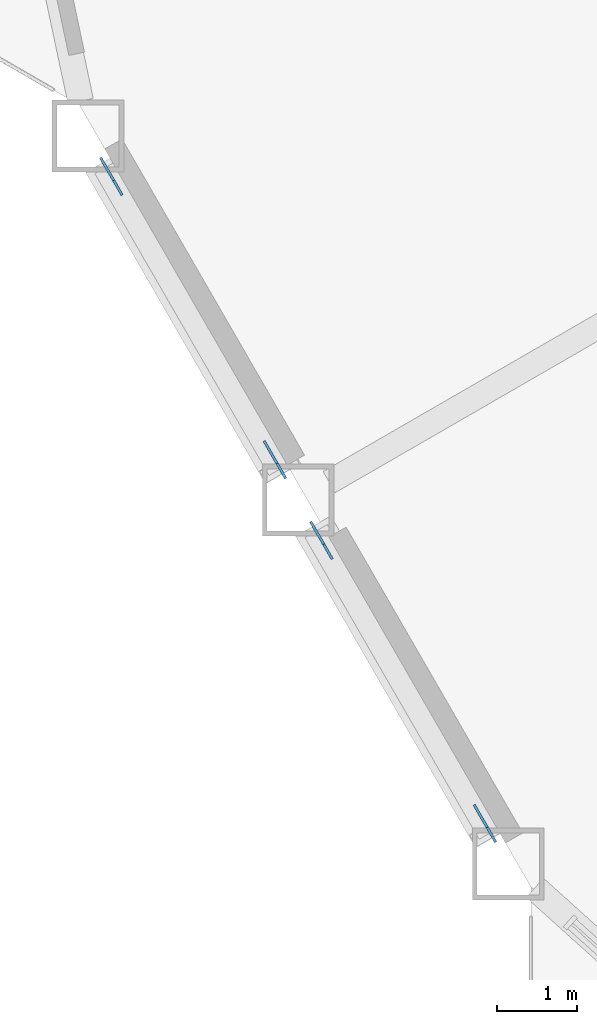
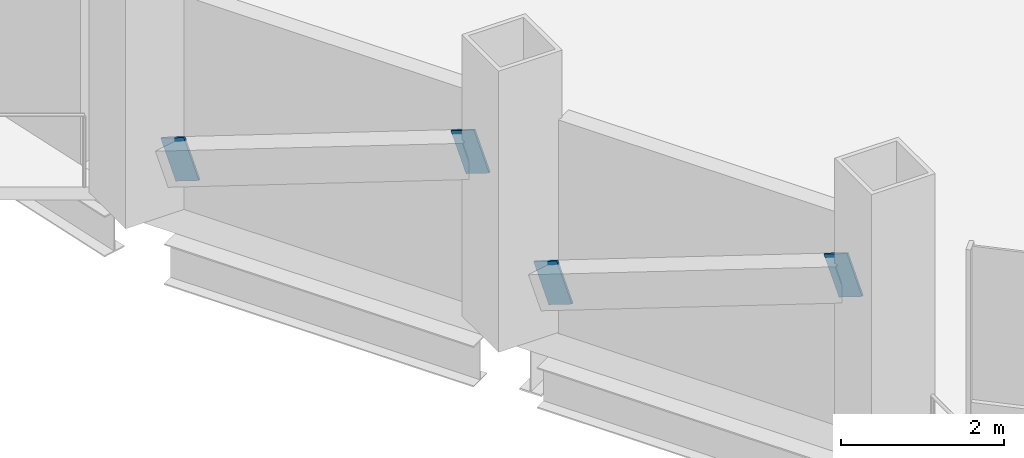
# One storey, part 14 of 21: 4 discrete accessories.
"""IFC4 building model written with IfcOpenShell, lengths in metres."""

from ifc_helpers import new_model, si_unit, direction, frame, origin, origin_2d, place, context, subcontext, project, spatial, rectangle, extrude, material, material_profile, profile_set, type_object, element, save


model = new_model("IFC4")

# Units and contexts
model_context = context("Model", 3, precision=1e-05, world=origin(), true_north=direction((0.0, 1.0)))
body_context = subcontext(model_context, "Body", "Model", "MODEL_VIEW")
ifc_project = project(units=[si_unit("LENGTHUNIT", "METRE"), si_unit("AREAUNIT", "SQUARE_METRE"), si_unit("VOLUMEUNIT", "CUBIC_METRE"), si_unit("PLANEANGLEUNIT", "RADIAN"), si_unit("MASSUNIT", "GRAM", prefix="KILO")], contexts=[model_context])

# Site, building, storey
site_placement = place(None, origin())
site = spatial("IfcSite", under=ifc_project, at=site_placement, CompositionType="ELEMENT")
building_placement = place(site_placement, origin())
building = spatial("IfcBuilding", under=site, at=building_placement, Name="Cormorant Prow Tower", CompositionType="ELEMENT")
storey_placement = place(building_placement, frame((0.0, 0.0, 124.800048828125)))
storey = spatial("IfcBuildingStorey", under=building, at=storey_placement, Name="L26", CompositionType="ELEMENT", Elevation=124.800048828125)

# Discrete accessories
ifc_material = material(Name="Structural steel ASTM A500 Gr C", Category="steel")
ifc_material_profile = material_profile(ifc_material, rectangle(XDim=0.031982421875, YDim=0.60791015625, at=origin_2d()), Name="Gusset plate 32x608")
ifc_profile_set = profile_set([ifc_material_profile], Name="Structural steel ASTM A500 Gr C")
discrete_accessory_type = type_object("IfcDiscreteAccessoryType", Name="Gusset plate 32x608", PredefinedType="BRACKET", material=ifc_profile_set)
for number, where, z_axis, x_axis, name in (
    (1, (-30.39501953125, -12.328125, 0.88232421875), (-0.467903125124, 0.810288273314, -0.352844979601), (-0.865987003449, -0.500066505434, 0.0), "Gusset plate GP1 L26.WSW00.g0"),
    (2, (-28.5087890625, -15.59521484375, 2.306396484375), (0.467903125124, -0.810288273314, 0.352844979601), (0.865987003449, 0.500066505434, 0.0), "Gusset plate GP1 L26.WSW00.g1"),
):
    element("IfcDiscreteAccessory", number, at=place(storey_placement, frame(where, z_axis=z_axis, x_axis=x_axis)), inside=storey, type_object=discrete_accessory_type, Name=name, PredefinedType="BRACKET", context=body_context, shape_type="SweptSolid", body=[
        extrude(rectangle(XDim=0.031982421875, YDim=0.60791015625, at=origin_2d()), origin(), (0.0, 0.0, 1.0), 0.35009765625),
    ])
discrete_accessory_1_placement = place(storey_placement, frame((-27.76025390625, -16.8916015625, 0.88232421875), z_axis=(-0.468167615655, 0.810048586848, -0.353044431477), x_axis=(-0.865800459427, -0.500389412813, 0.0)))
element("IfcDiscreteAccessory", 3, at=discrete_accessory_1_placement, inside=storey, type_object=discrete_accessory_type, Name="Gusset plate GP1 L26.WSW01.g0", PredefinedType="BRACKET", context=body_context, shape_type="SweptSolid", body=[
    extrude(rectangle(XDim=0.031982421875, YDim=0.60791015625, at=origin_2d()), origin(), (0.0, 0.0, 1.0), 0.349853515625),
])
discrete_accessory_2_placement = place(storey_placement, frame((-25.8740234375, -20.158935546875, 2.306396484375), z_axis=(0.467903125124, -0.810288273314, 0.352844979601), x_axis=(0.865987003449, 0.500066505434, 0.0)))
element("IfcDiscreteAccessory", 4, at=discrete_accessory_2_placement, inside=storey, type_object=discrete_accessory_type, Name="Gusset plate GP1 L26.WSW01.g1", PredefinedType="BRACKET", context=body_context, shape_type="SweptSolid", body=[
    extrude(rectangle(XDim=0.031982421875, YDim=0.60791015625, at=origin_2d()), origin(), (0.0, 0.0, 1.0), 0.35009765625),
])

save(model, "model.ifc")
